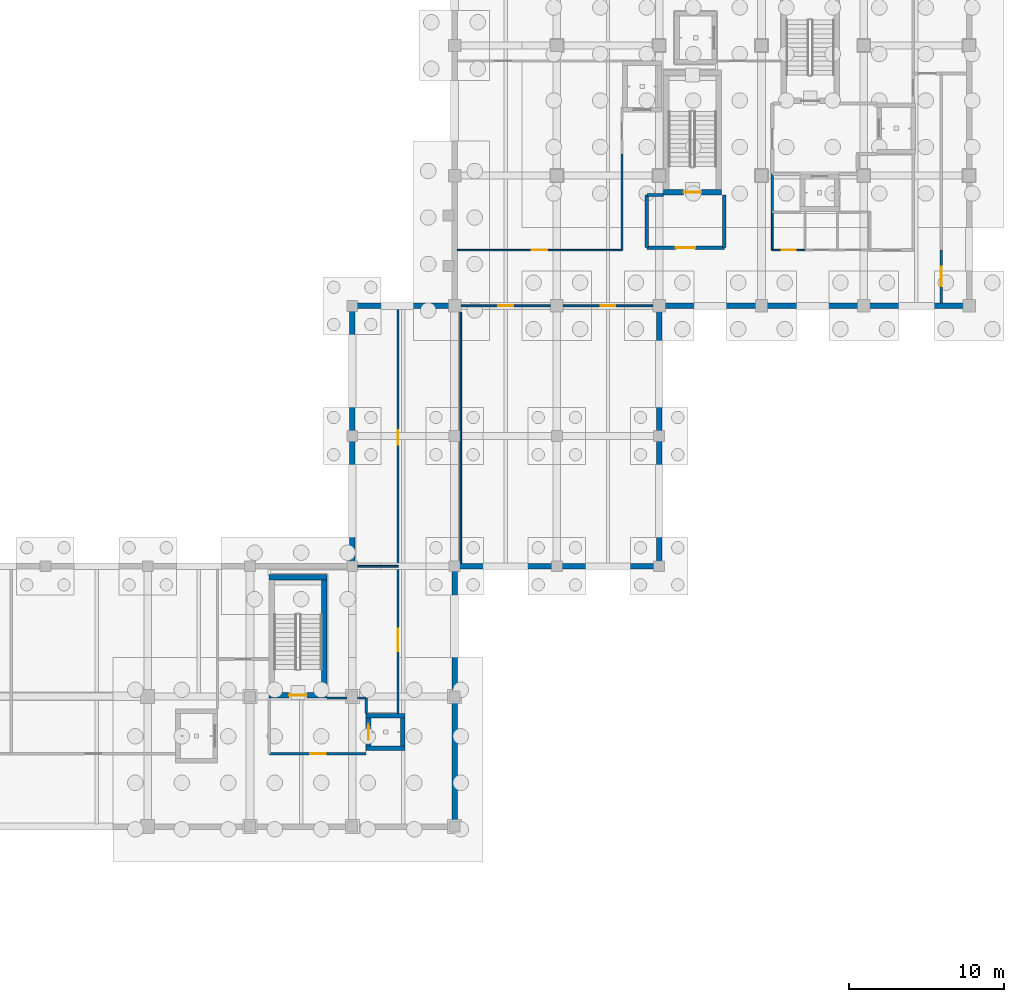
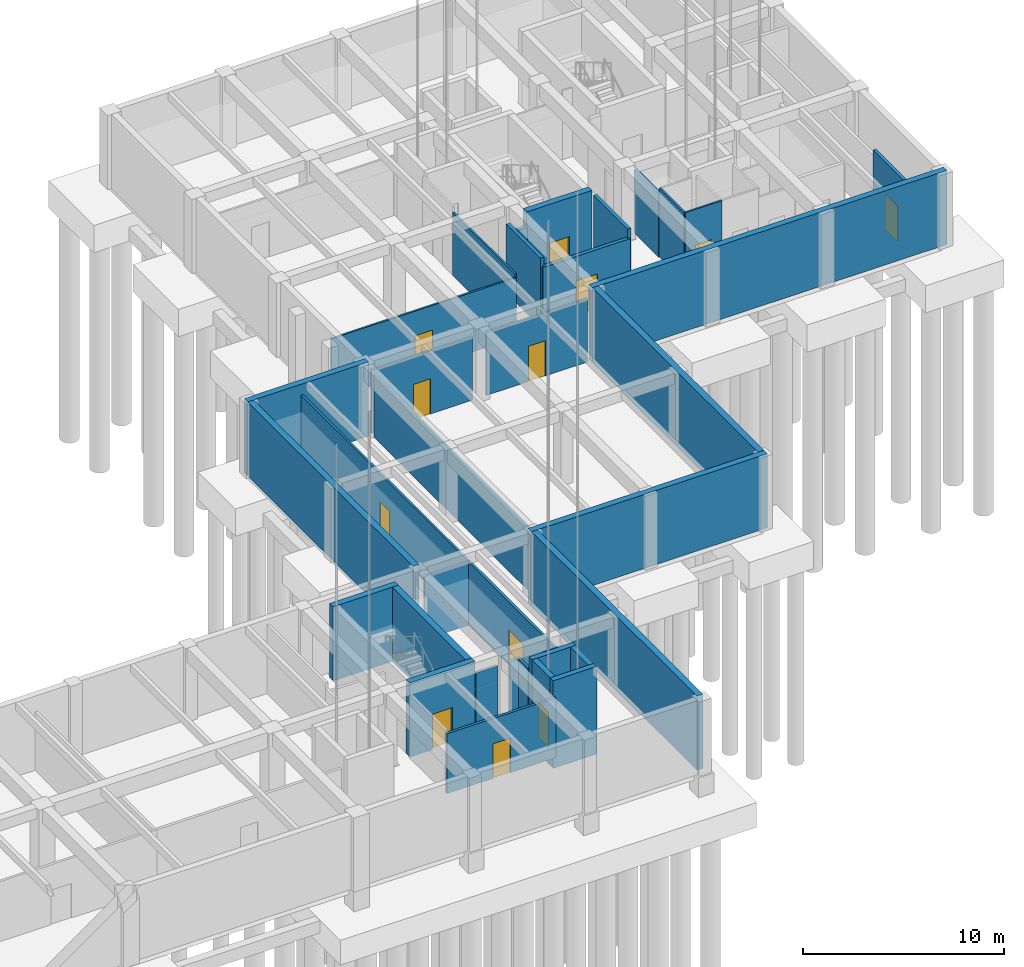
# One storey, part 36 of 44: 34 walls, 12 doors, 12 openings.
"""IFC4 building model written with IfcOpenShell, lengths in metres."""

import ifcopenshell
import ifcopenshell.guid

model = None  # the IFC model being written
_history = None  # IfcOwnerHistory: only IFC2X3 demands one
_inside = {}  # id of a spatial element -> (the spatial element, [elements in it])
_under = {}  # id of a project, library or spatial element -> (it, [spatial elements below it])
_declared = {}  # id of a project -> (the project, [libraries it declares])
_typed = {}  # id of a type object -> (the type object, [elements of that type])
_made_of = {}  # id of a material, layer set ... -> (it, [elements and type objects made of it])


def new_model(schema):
    """Start an empty IFC model of exactly this schema.

    Asked for "IFC4X3", IfcOpenShell would pick the latest addendum, in which some entities
    have other attributes; the version numbers below select the first issue.
    IFC2X3 requires an IfcOwnerHistory on every rooted entity: one is made here for all.
    """
    global model, _history
    if schema == "IFC4X3":
        model = ifcopenshell.file(schema_version=(4, 3, 0, 0))
    else:
        model = ifcopenshell.file(schema=schema)
    _inside.clear()
    _under.clear()
    _declared.clear()
    _typed.clear()
    _made_of.clear()
    _history = None
    if model.schema == "IFC2X3":
        org = make("IfcOrganization", Name="unknown")
        user = make(
            "IfcPersonAndOrganization",
            ThePerson=make("IfcPerson", FamilyName="unknown"),
            TheOrganization=org,
        )
        app = make(
            "IfcApplication",
            ApplicationDeveloper=org,
            Version="unknown",
            ApplicationFullName="unknown",
            ApplicationIdentifier="unknown",
        )
        _history = make(
            "IfcOwnerHistory",
            OwningUser=user,
            OwningApplication=app,
            ChangeAction="ADDED",
            CreationDate=0,
        )
    return model


def make(cls, **values):
    """One entity of the class cls with the attributes given. An attribute that is None is left unset."""
    return model.create_entity(
        cls, **{name: value for name, value in values.items() if value is not None}
    )


def rooted(cls, **values):
    """An entity with a GlobalId (a new one), such as an element, a storey or a relation."""
    return make(cls, GlobalId=ifcopenshell.guid.new(), OwnerHistory=_history, **values)


def si_unit(unit_type, name, prefix=None):
    """IfcSIUnit, for example si_unit("LENGTHUNIT", "METRE", prefix="MILLI")."""
    return make("IfcSIUnit", UnitType=unit_type, Prefix=prefix, Name=name)


def assignment(units):
    """IfcUnitAssignment: the units of a project."""
    return None if units is None else make("IfcUnitAssignment", Units=units)


def point(xyz):
    """IfcCartesianPoint."""
    return None if xyz is None else make("IfcCartesianPoint", Coordinates=xyz)


def direction(xyz):
    """IfcDirection."""
    return None if xyz is None else make("IfcDirection", DirectionRatios=xyz)


def frame(location, z_axis=None, x_axis=None):
    """IfcAxis2Placement3D, a coordinate frame: its origin and axes. An axis left out is left unset."""
    return make(
        "IfcAxis2Placement3D",
        Location=point(location),
        Axis=direction(z_axis),
        RefDirection=direction(x_axis),
    )


def frame_2d(location, x_axis=None):
    """IfcAxis2Placement2D, a coordinate frame in the plane: its origin and x axis."""
    return make(
        "IfcAxis2Placement2D", Location=point(location), RefDirection=direction(x_axis)
    )


def origin():
    """The frame at (0, 0, 0) with its axes left unset."""
    return frame((0.0, 0.0, 0.0))


def place(relative_to, where):
    """IfcLocalPlacement: puts the frame where relative to a parent placement (None: the world)."""
    return make(
        "IfcLocalPlacement", PlacementRelTo=relative_to, RelativePlacement=where
    )


def context(
    kind, dimensions, precision=None, world=None, true_north=None, identifier=None
):
    """IfcGeometricRepresentationContext, for example the 3D "Model" context."""
    return make(
        "IfcGeometricRepresentationContext",
        ContextIdentifier=identifier,
        ContextType=kind,
        CoordinateSpaceDimension=dimensions,
        Precision=precision,
        WorldCoordinateSystem=world,
        TrueNorth=true_north,
    )


def subcontext(parent, identifier, kind, view, scale=None):
    """IfcGeometricRepresentationSubContext, for example "Body" below "Model"."""
    return make(
        "IfcGeometricRepresentationSubContext",
        ContextIdentifier=identifier,
        ContextType=kind,
        ParentContext=parent,
        TargetScale=scale,
        TargetView=view,
    )


def project(units=None, contexts=None):
    """IfcProject with its units and contexts."""
    return rooted(
        "IfcProject",
        Name="project",
        RepresentationContexts=contexts,
        UnitsInContext=assignment(units),
    )


def spatial(cls, under=None, at=None, **own):
    """A site, building, storey or space (cls), placed at a placement, below another one or the project."""
    s = rooted(cls, ObjectPlacement=at, **own)
    if under is not None:
        _under.setdefault(under.id(), (under, []))[1].append(s)
    return s


def profile(cls, at=None, kind="AREA", **sizes):
    """A parametric profile (cls). Its sizes go by their IFC names, for example OverallWidth=200.0."""
    return make(cls, ProfileType=kind, Position=at, **sizes)


def rectangle(**sizes):
    """IfcRectangleProfileDef."""
    return profile("IfcRectangleProfileDef", **sizes)


def extrude(swept, where, along, depth):
    """IfcExtrudedAreaSolid: the profile swept, set in the frame where, extruded along a direction by depth."""
    return make(
        "IfcExtrudedAreaSolid",
        SweptArea=swept,
        Position=where,
        ExtrudedDirection=direction(along),
        Depth=depth,
    )


def shape(context_of_items, identifier, shape_type, items):
    """IfcShapeRepresentation: the items that make up one representation, for example the "Body"."""
    return make(
        "IfcShapeRepresentation",
        ContextOfItems=context_of_items,
        RepresentationIdentifier=identifier,
        RepresentationType=shape_type,
        Items=items,
    )


def material(Name=None, Category=None):
    """IfcMaterial."""
    return make("IfcMaterial", Name=Name, Category=Category)


def layer(
    of_material, thickness, ventilated=None, Name=None, Category=None, Priority=None
):
    """IfcMaterialLayer: one layer of a wall or slab, of a material (None: an air gap)."""
    return make(
        "IfcMaterialLayer",
        Material=of_material,
        LayerThickness=thickness,
        IsVentilated=ventilated,
        Name=Name,
        Category=Category,
        Priority=Priority,
    )


def layer_set(layers, Name=None):
    """IfcMaterialLayerSet."""
    return make("IfcMaterialLayerSet", MaterialLayers=layers, LayerSetName=Name)


def made_of(thing, what):
    """Note that an element or type object is made of a material, layer set ...; save() writes the relation."""
    if what is not None:
        _made_of.setdefault(what.id(), (what, []))[1].append(thing)
    return thing


def type_object(cls, material=None, **own):
    """A type object (cls), such as IfcWallType, which elements share."""
    return made_of(rooted(cls, **own), material)


def element(
    cls,
    number,
    at=None,
    inside=None,
    cuts=None,
    type_object=None,
    material=None,
    context=None,
    identifier="Body",
    shape_type=None,
    held_by="IfcProductDefinitionShape",
    body=None,
    shapes=None,
    **own,
):
    """One element of the class cls, such as IfcWall. Its Tag is "e" and its number.

    at: its placement. inside: the storey or other place that contains it. cuts: it is an
    opening in that element (IfcRelVoidsElement). A single representation is given by context,
    identifier, shape_type and body (its items); several are given by shapes. held_by: the class
    of the entity that holds the representations. save() writes the other relations.
    """
    e = rooted(cls, Tag="e%d" % number, ObjectPlacement=at, **own)
    if body is not None:
        shapes = [shape(context, identifier, shape_type, body)]
    if shapes is not None:
        e.Representation = make(held_by, Representations=shapes)
    if inside is not None:
        _inside.setdefault(inside.id(), (inside, []))[1].append(e)
    if cuts is not None:
        rooted(
            "IfcRelVoidsElement", RelatingBuildingElement=cuts, RelatedOpeningElement=e
        )
    if type_object is not None:
        _typed.setdefault(type_object.id(), (type_object, []))[1].append(e)
    return made_of(e, material)


def fill(opening, filler):
    """IfcRelFillsElement: the door or window that sits in an opening."""
    return rooted(
        "IfcRelFillsElement",
        RelatingOpeningElement=opening,
        RelatedBuildingElement=filler,
    )


def aggregate(whole, parts):
    """IfcRelAggregates: a whole, such as a stair, and the parts it consists of."""
    return rooted("IfcRelAggregates", RelatingObject=whole, RelatedObjects=parts)


def save(model, path):
    """Write the relations noted so far, then the file.

    IfcRelAggregates (storeys below a building ...), IfcRelContainedInSpatialStructure (elements
    in a storey), IfcRelDefinesByType, IfcRelAssociatesMaterial and IfcRelDeclares: one each for
    every whole, place, type object, material and project.
    """
    for whole, parts in _under.values():
        aggregate(whole, parts)
    for where, things in _inside.values():
        rooted(
            "IfcRelContainedInSpatialStructure",
            RelatedElements=things,
            RelatingStructure=where,
        )
    for kind, things in _typed.values():
        rooted("IfcRelDefinesByType", RelatedObjects=things, RelatingType=kind)
    for what, things in _made_of.values():
        rooted("IfcRelAssociatesMaterial", RelatedObjects=things, RelatingMaterial=what)
    for by, libraries in _declared.values():
        rooted("IfcRelDeclares", RelatingContext=by, RelatedDefinitions=libraries)
    model.write(path)


model = new_model("IFC4")

# Units and contexts
model_context = context("Model", 3, precision=1e-05, world=origin(), true_north=direction((0.0, 1.0)))
body_context = subcontext(model_context, "Body", "Model", "MODEL_VIEW")
ifc_project = project(units=[si_unit("LENGTHUNIT", "METRE"), si_unit("AREAUNIT", "SQUARE_METRE"), si_unit("VOLUMEUNIT", "CUBIC_METRE"), si_unit("PLANEANGLEUNIT", "RADIAN"), si_unit("MASSUNIT", "GRAM", prefix="KILO")], contexts=[model_context])

# Site, building, storey
site_placement = place(None, origin())
site = spatial("IfcSite", under=ifc_project, at=site_placement, CompositionType="ELEMENT")
building_placement = place(site_placement, origin())
building = spatial("IfcBuilding", under=site, at=building_placement, Name="Kolvaren Faculty of Natural Sciences", CompositionType="ELEMENT")
storey_placement = place(building_placement, frame((0.0, 0.0, -4.5)))
storey = spatial("IfcBuildingStorey", under=building, at=storey_placement, Name="B01", CompositionType="ELEMENT", Elevation=-4.5)

# Walls
ifc_material_1 = material(Name="Concrete C35/45", Category="concrete")
ifc_layer_1 = layer(ifc_material_1, 0.35009765625)
ifc_layer_set_1 = layer_set([ifc_layer_1], Name="Concrete C35/45")
wall_type_1 = type_object("IfcWallType", Name="BasementRetainingWall_350", PredefinedType="SOLIDWALL", material=ifc_layer_set_1)
wall_1_placement = place(storey_placement, frame((132.199951171875, 42.375, 0.0), z_axis=(0.0, 0.0, 1.0), x_axis=(0.0, 1.0, 0.0)))
element("IfcWall", 1, at=wall_1_placement, inside=storey, type_object=wall_type_1, Name="B01 perimeter reinforced concrete retaining wall 4.1", PredefinedType="SOLIDWALL", context=body_context, shape_type="SweptSolid", body=[
    extrude(rectangle(XDim=16.449951171875, YDim=0.35009765625, at=frame_2d((8.22509765625, 0.0))), origin(), (0.0, 0.0, 1.0), 4.5),
])
wall_2_placement = place(storey_placement, frame((132.02490234375, 59.0, 0.0), z_axis=(0.0, 0.0, 1.0), x_axis=(1.0, 0.0, 0.0)))
element("IfcWall", 2, at=wall_2_placement, inside=storey, type_object=wall_type_1, Name="B01 perimeter reinforced concrete retaining wall 5", PredefinedType="SOLIDWALL", context=body_context, shape_type="SweptSolid", body=[
    extrude(rectangle(XDim=6.9501953125, YDim=0.35009765625, at=frame_2d((3.47509765625, 0.0))), origin(), (0.0, 0.0, 1.0), 4.5),
])
wall_3_placement = place(storey_placement, frame((151.824951171875, 59.0, 0.0), z_axis=(0.0, 0.0, 1.0), x_axis=(1.0, 0.0, 0.0)))
element("IfcWall", 3, at=wall_3_placement, inside=storey, type_object=wall_type_1, Name="B01 perimeter reinforced concrete retaining wall 9", PredefinedType="SOLIDWALL", context=body_context, shape_type="SweptSolid", body=[
    extrude(rectangle(XDim=20.35009765625, YDim=0.35009765625, at=frame_2d((10.175048828125, 0.0))), origin(), (0.0, 0.0, 1.0), 4.5),
])
wall_4_placement = place(storey_placement, frame((152.0, 42.375, 0.0), z_axis=(0.0, 0.0, 1.0), x_axis=(0.0, 1.0, 0.0)))
element("IfcWall", 4, at=wall_4_placement, inside=storey, type_object=wall_type_1, Name="B01 perimeter reinforced concrete retaining wall 10.1", PredefinedType="SOLIDWALL", context=body_context, shape_type="SweptSolid", body=[
    extrude(rectangle(XDim=16.449951171875, YDim=0.35009765625, at=frame_2d((8.22509765625, 0.0))), origin(), (0.0, 0.0, 1.0), 4.5),
])
wall_5_placement = place(storey_placement, frame((138.625, 42.199951171875, 0.0), z_axis=(0.0, 0.0, 1.0), x_axis=(1.0, 0.0, 0.0)))
element("IfcWall", 5, at=wall_5_placement, inside=storey, type_object=wall_type_1, Name="B01 perimeter reinforced concrete retaining wall 11", PredefinedType="SOLIDWALL", context=body_context, shape_type="SweptSolid", body=[
    extrude(rectangle(XDim=13.550048828125, YDim=0.35009765625, at=frame_2d((6.77490234375, 0.0))), origin(), (0.0, 0.0, 1.0), 4.5),
])
wall_6_placement = place(storey_placement, frame((138.800048828125, 25.574951171875, 0.0), z_axis=(0.0, 0.0, 1.0), x_axis=(0.0, 1.0, 0.0)))
element("IfcWall", 6, at=wall_6_placement, inside=storey, type_object=wall_type_1, Name="B01 perimeter reinforced concrete retaining wall 12.1", PredefinedType="SOLIDWALL", context=body_context, shape_type="SweptSolid", body=[
    extrude(rectangle(XDim=16.449951171875, YDim=0.35009765625, at=frame_2d((8.22509765625, 0.0))), origin(), (0.0, 0.0, 1.0), 4.5),
])

# Wall, opening, door
ifc_material_2 = material(Name="Acoustic mineral-wool insulated gypsum partition")
ifc_layer_2 = layer(ifc_material_2, 0.14501953125)
ifc_layer_set_2 = layer_set([ifc_layer_2], Name="Acoustic mineral-wool insulated gypsum partition")
wall_type_2 = type_object("IfcWallType", Name="CommonsPartitionWall_145", PredefinedType="PARTITIONING", material=ifc_layer_set_2)
wall_7_placement = place(storey_placement, frame((135.14990234375, 42.199951171875, 0.0), z_axis=(0.0, 0.0, 1.0), x_axis=(0.0, -1.0, 0.0)))
wall_7 = element("IfcWall", 7, at=wall_7_placement, inside=storey, type_object=wall_type_2, Name="B01 interior partition PW-145", PredefinedType="PARTITIONING", context=body_context, shape_type="SweptSolid", body=[
    extrude(rectangle(XDim=9.498046875, YDim=0.14501953125, at=frame_2d((4.7490234375, 0.0))), origin(), (0.0, 0.0, 1.0), 3.8349609375),
])
opening_1_placement = place(wall_7_placement, frame((4.029052734375, 0.0, 0.0)))
opening_1 = element("IfcOpeningElement", 8, at=opening_1_placement, cuts=wall_7, Name="Opening ID-27", PredefinedType="OPENING", context=body_context, shape_type="SweptSolid", body=[
    extrude(rectangle(XDim=1.43994140625, YDim=2.139892578125, at=frame_2d((0.719970703125, 1.06982421875))), frame((0.0, 0.08251953125, 0.0), z_axis=(0.0, -1.0, 0.0), x_axis=(1.0, 0.0, 0.0)), (0.0, 0.0, 1.0), 0.1650390625),
])
ifc_material_3 = material(Name="Thermally broken anodised aluminium glazed door", Category="aluminium")
door_type_1 = type_object("IfcDoorType", Name="InteriorRoomDoor_1440x2140", OperationType="DOUBLE_DOOR_SINGLE_SWING", PredefinedType="DOOR", material=ifc_material_3)
door_1_placement = place(opening_1_placement, origin())
door_1 = element("IfcDoor", 9, at=door_1_placement, inside=storey, type_object=door_type_1, Name="D-B01-0024", OperationType="DOUBLE_DOOR_SINGLE_SWING", OverallHeight=2.139892578125, OverallWidth=1.43994140625, PredefinedType="DOOR", context=body_context, shape_type="SweptSolid", body=[
    extrude(rectangle(XDim=1.43994140625, YDim=2.139892578125, at=frame_2d((0.719970703125, 1.06982421875))), frame((0.0, 0.02490234375, 0.0), z_axis=(0.0, -1.0, 0.0), x_axis=(1.0, 0.0, 0.0)), (0.0, 0.0, 1.0), 0.050048828125),
])
fill(opening_1, door_1)

ifc_material_4 = material(Name="Concrete C40/50", Category="concrete")
ifc_layer_3 = layer(ifc_material_4, 0.35009765625)
ifc_layer_set_3 = layer_set([ifc_layer_3], Name="Concrete C40/50")
wall_type_3 = type_object("IfcWallType", Name="CoreShearWall_350", PredefinedType="SHEAR", material=ifc_layer_set_3)
wall_8_placement = place(storey_placement, frame((152.27490234375, 66.324951171875, 0.0), z_axis=(0.0, 0.0, 1.0), x_axis=(1.0, 0.0, 0.0)))
wall_8 = element("IfcWall", 10, at=wall_8_placement, inside=storey, type_object=wall_type_3, Name="B01 CORE-C2 stair shear wall S", PredefinedType="SHEAR", context=body_context, shape_type="SweptSolid", body=[
    extrude(rectangle(XDim=3.75, YDim=0.35009765625, at=frame_2d((1.875, 0.0))), origin(), (0.0, 0.0, 1.0), 4.5),
])
opening_2_placement = place(wall_8_placement, frame((1.300048828125, 0.0, 0.0)))
opening_2 = element("IfcOpeningElement", 11, at=opening_2_placement, cuts=wall_8, Name="Opening FD90", PredefinedType="OPENING", context=body_context, shape_type="SweptSolid", body=[
    extrude(rectangle(XDim=1.14990234375, YDim=2.14990234375, at=frame_2d((0.574951171875, 1.074951171875))), frame((0.0, 0.18505859375, 0.0), z_axis=(0.0, -1.0, 0.0), x_axis=(1.0, 0.0, 0.0)), (0.0, 0.0, 1.0), 0.3701171875),
])
ifc_material_5 = material(Name="Fire-rated solid-core hardwood door leaf in steel frame", Category="steel")
door_type_2 = type_object("IfcDoorType", Name="StairCoreFireDoor_1150x2150", OperationType="NOTDEFINED", PredefinedType="DOOR", material=ifc_material_5)
door_2_placement = place(opening_2_placement, origin())
door_2 = element("IfcDoor", 12, at=door_2_placement, inside=storey, type_object=door_type_2, Name="D-ST-ST-2-B01", OperationType="SINGLE_SWING_LEFT", OverallHeight=2.14990234375, OverallWidth=1.14990234375, PredefinedType="DOOR", context=body_context, shape_type="SweptSolid", body=[
    extrude(rectangle(XDim=1.14990234375, YDim=2.14990234375, at=frame_2d((0.574951171875, 1.074951171875))), frame((0.0, 0.02490234375, 0.0), z_axis=(0.0, -1.0, 0.0), x_axis=(1.0, 0.0, 0.0)), (0.0, 0.0, 1.0), 0.050048828125),
])
fill(opening_2, door_2)

wall_9_placement = place(storey_placement, frame((126.824951171875, 33.875, 0.0), z_axis=(0.0, 0.0, 1.0), x_axis=(1.0, 0.0, 0.0)))
wall_9 = element("IfcWall", 13, at=wall_9_placement, inside=storey, type_object=wall_type_3, Name="B01 CORE-C3 stair shear wall S", PredefinedType="SHEAR", context=body_context, shape_type="SweptSolid", body=[
    extrude(rectangle(XDim=3.75, YDim=0.35009765625, at=frame_2d((1.875, 0.0))), origin(), (0.0, 0.0, 1.0), 4.5),
])
opening_3_placement = place(wall_9_placement, frame((1.300048828125, 0.0, 0.0)))
opening_3 = element("IfcOpeningElement", 14, at=opening_3_placement, cuts=wall_9, Name="Opening FD90", PredefinedType="OPENING", context=body_context, shape_type="SweptSolid", body=[
    extrude(rectangle(XDim=1.14990234375, YDim=2.14990234375, at=frame_2d((0.574951171875, 1.074951171875))), frame((0.0, 0.18505859375, 0.0), z_axis=(0.0, -1.0, 0.0), x_axis=(1.0, 0.0, 0.0)), (0.0, 0.0, 1.0), 0.3701171875),
])
door_3_placement = place(opening_3_placement, origin())
door_3 = element("IfcDoor", 15, at=door_3_placement, inside=storey, type_object=door_type_2, Name="D-ST-ST-3-B01", OperationType="SINGLE_SWING_LEFT", OverallHeight=2.14990234375, OverallWidth=1.14990234375, PredefinedType="DOOR", context=body_context, shape_type="SweptSolid", body=[
    extrude(rectangle(XDim=1.14990234375, YDim=2.14990234375, at=frame_2d((0.574951171875, 1.074951171875))), frame((0.0, 0.02490234375, 0.0), z_axis=(0.0, -1.0, 0.0), x_axis=(1.0, 0.0, 0.0)), (0.0, 0.0, 1.0), 0.050048828125),
])
fill(opening_3, door_3)

# Walls
wall_10_placement = place(storey_placement, frame((126.824951171875, 41.5, 0.0), z_axis=(0.0, 0.0, 1.0), x_axis=(1.0, 0.0, 0.0)))
element("IfcWall", 16, at=wall_10_placement, inside=storey, type_object=wall_type_3, Name="B01 CORE-C3 stair shear wall N", PredefinedType="SHEAR", context=body_context, shape_type="SweptSolid", body=[
    extrude(rectangle(XDim=3.75, YDim=0.35009765625, at=frame_2d((1.875, 0.0))), origin(), (0.0, 0.0, 1.0), 4.5),
])
wall_11_placement = place(storey_placement, frame((130.39990234375, 34.050048828125, 0.0), z_axis=(0.0, 0.0, 1.0), x_axis=(0.0, 1.0, 0.0)))
element("IfcWall", 17, at=wall_11_placement, inside=storey, type_object=wall_type_3, Name="B01 CORE-C3 stair shear wall E", PredefinedType="SHEAR", context=body_context, shape_type="SweptSolid", body=[
    extrude(rectangle(XDim=7.27490234375, YDim=0.35009765625, at=frame_2d((3.637451171875, 0.0))), origin(), (0.0, 0.0, 1.0), 4.5),
])
ifc_material_6 = material(Name="Autoclaved aerated fire-rated masonry blockwork", Category="masonry")
ifc_layer_4 = layer(ifc_material_6, 0.199951171875)
ifc_layer_set_4 = layer_set([ifc_layer_4], Name="Autoclaved aerated fire-rated masonry blockwork")
wall_type_4 = type_object("IfcWallType", Name="FireLobbyWall_200", PredefinedType="PARTITIONING", material=ifc_layer_set_4)
wall_12_placement = place(storey_placement, frame((151.199951171875, 66.14990234375, 0.0), z_axis=(0.0, 0.0, 1.0), x_axis=(1.0, 0.0, 0.0)))
element("IfcWall", 18, at=wall_12_placement, inside=storey, type_object=wall_type_4, Name="B01 interior partition FW-200", PredefinedType="PARTITIONING", context=body_context, shape_type="SweptSolid", body=[
    extrude(rectangle(XDim=1.074951171875, YDim=0.199951171875, at=frame_2d((0.53759765625, 0.0))), origin(), (0.0, 0.0, 1.0), 3.635009765625),
])
wall_13_placement = place(storey_placement, frame((156.199951171875, 66.14990234375, 0.0), z_axis=(0.0, 0.0, 1.0), x_axis=(0.0, -1.0, 0.0)))
element("IfcWall", 19, at=wall_13_placement, inside=storey, type_object=wall_type_4, Name="B01 interior partition FW-200", PredefinedType="PARTITIONING", context=body_context, shape_type="SweptSolid", body=[
    extrude(rectangle(XDim=3.39990234375, YDim=0.199951171875, at=frame_2d((1.699951171875, 0.0))), origin(), (0.0, 0.0, 1.0), 4.175048828125),
])

# Wall, opening, door
wall_14_placement = place(storey_placement, frame((156.199951171875, 62.75, 0.0), z_axis=(0.0, 0.0, 1.0), x_axis=(-1.0, 0.0, 0.0)))
wall_14 = element("IfcWall", 20, at=wall_14_placement, inside=storey, type_object=wall_type_4, Name="B01 interior partition FW-200", PredefinedType="PARTITIONING", context=body_context, shape_type="SweptSolid", body=[
    extrude(rectangle(XDim=5.0, YDim=0.199951171875, at=frame_2d((2.5, 0.0))), origin(), (0.0, 0.0, 1.0), 3.635009765625),
])
opening_4_placement = place(wall_14_placement, frame((1.875, 0.0, 0.0)))
opening_4 = element("IfcOpeningElement", 21, at=opening_4_placement, cuts=wall_14, Name="Opening FD60", PredefinedType="OPENING", context=body_context, shape_type="SweptSolid", body=[
    extrude(rectangle(XDim=1.25, YDim=2.14990234375, at=frame_2d((0.625, 1.074951171875))), frame((0.0, 0.10986328125, 0.0), z_axis=(0.0, -1.0, 0.0), x_axis=(1.0, 0.0, 0.0)), (0.0, 0.0, 1.0), 0.219970703125),
])
door_type_3 = type_object("IfcDoorType", Name="RescueLobbyFireDoor_1250x2150", OperationType="NOTDEFINED", PredefinedType="DOOR", material=ifc_material_5)
door_4_placement = place(opening_4_placement, origin())
door_4 = element("IfcDoor", 22, at=door_4_placement, inside=storey, type_object=door_type_3, Name="D-B01-0002", OperationType="SINGLE_SWING_RIGHT", OverallHeight=2.14990234375, OverallWidth=1.25, PredefinedType="DOOR", context=body_context, shape_type="SweptSolid", body=[
    extrude(rectangle(XDim=1.25, YDim=2.14990234375, at=frame_2d((0.625, 1.074951171875))), frame((0.0, 0.02490234375, 0.0), z_axis=(0.0, -1.0, 0.0), x_axis=(1.0, 0.0, 0.0)), (0.0, 0.0, 1.0), 0.050048828125),
])
fill(opening_4, door_4)

# Walls
wall_15_placement = place(storey_placement, frame((151.199951171875, 62.75, 0.0), z_axis=(0.0, 0.0, 1.0), x_axis=(0.0, 1.0, 0.0)))
element("IfcWall", 23, at=wall_15_placement, inside=storey, type_object=wall_type_4, Name="B01 interior partition FW-200", PredefinedType="PARTITIONING", context=body_context, shape_type="SweptSolid", body=[
    extrude(rectangle(XDim=3.39990234375, YDim=0.199951171875, at=frame_2d((1.699951171875, 0.0))), origin(), (0.0, 0.0, 1.0), 4.175048828125),
])
ifc_layer_5 = layer(ifc_material_2, 0.179931640625)
ifc_layer_set_5 = layer_set([ifc_layer_5], Name="Acoustic mineral-wool insulated gypsum partition")
wall_type_5 = type_object("IfcWallType", Name="LabPartitionWall_180", PredefinedType="PARTITIONING", material=ifc_layer_set_5)
wall_16_placement = place(storey_placement, frame((159.300048828125, 65.050048828125, 0.0), z_axis=(0.0, 0.0, 1.0), x_axis=(0.0, 1.0, 0.0)))
element("IfcWall", 24, at=wall_16_placement, inside=storey, type_object=wall_type_5, Name="B01 interior partition PW-180", PredefinedType="PARTITIONING", context=body_context, shape_type="SweptSolid", body=[
    extrude(rectangle(XDim=2.449951171875, YDim=0.179931640625, at=frame_2d((1.22509765625, 0.0))), origin(), (0.0, 0.0, 1.0), 3.8349609375),
])
ifc_material_7 = material(Name="Double fire-rated gypsum board on 100 mm steel stud", Category="steel")
ifc_layer_6 = layer(ifc_material_7, 0.14990234375)
ifc_layer_set_6 = layer_set([ifc_layer_6], Name="Double fire-rated gypsum board on 100 mm steel stud")
wall_type_6 = type_object("IfcWallType", Name="RatedCorridorWall_150", PredefinedType="PARTITIONING", material=ifc_layer_set_6)
wall_17_placement = place(storey_placement, frame((130.574951171875, 33.699951171875, 0.0), z_axis=(0.0, 0.0, 1.0), x_axis=(1.0, 0.0, 0.0)))
element("IfcWall", 25, at=wall_17_placement, inside=storey, type_object=wall_type_6, Name="B01 interior partition LW-150", PredefinedType="PARTITIONING", context=body_context, shape_type="SweptSolid", body=[
    extrude(rectangle(XDim=1.275146484375, YDim=0.14990234375, at=frame_2d((0.6376953125, 0.0))), origin(), (0.0, 0.0, 1.0), 3.8349609375),
])
wall_18_placement = place(storey_placement, frame((132.550048828125, 33.699951171875, 0.0), z_axis=(0.0, 0.0, 1.0), x_axis=(1.0, 0.0, 0.0)))
element("IfcWall", 26, at=wall_18_placement, inside=storey, type_object=wall_type_6, Name="B01 interior partition LW-150", PredefinedType="PARTITIONING", context=body_context, shape_type="SweptSolid", body=[
    extrude(rectangle(XDim=0.550048828125, YDim=0.14990234375, at=frame_2d((0.27490234375, 0.0))), origin(), (0.0, 0.0, 1.0), 3.8349609375),
])
wall_19_placement = place(storey_placement, frame((133.10009765625, 33.699951171875, 0.0), z_axis=(0.0, 0.0, 1.0), x_axis=(0.0, -1.0, 0.0)))
element("IfcWall", 27, at=wall_19_placement, inside=storey, type_object=wall_type_6, Name="B01 interior partition LW-150", PredefinedType="PARTITIONING", context=body_context, shape_type="SweptSolid", body=[
    extrude(rectangle(XDim=0.998046875, YDim=0.14990234375, at=frame_2d((0.4990234375, 0.0))), origin(), (0.0, 0.0, 1.0), 3.8349609375),
])

# Wall, opening, door
wall_20_placement = place(storey_placement, frame((133.10009765625, 30.10009765625, 0.0), z_axis=(0.0, 0.0, 1.0), x_axis=(-1.0, 0.0, 0.0)))
wall_20 = element("IfcWall", 28, at=wall_20_placement, inside=storey, type_object=wall_type_6, Name="B01 interior partition LW-150", PredefinedType="PARTITIONING", context=body_context, shape_type="SweptSolid", body=[
    extrude(rectangle(XDim=6.25, YDim=0.14990234375, at=frame_2d((3.125, 0.0))), origin(), (0.0, 0.0, 1.0), 3.635009765625),
])
opening_5_placement = place(wall_20_placement, frame((2.625, 0.0, 0.0)))
opening_5 = element("IfcOpeningElement", 29, at=opening_5_placement, cuts=wall_20, Name="Opening FD30", PredefinedType="OPENING", context=body_context, shape_type="SweptSolid", body=[
    extrude(rectangle(XDim=1.0, YDim=2.10009765625, at=frame_2d((0.5, 1.050048828125))), frame((0.0, 0.0849609375, 0.0), z_axis=(0.0, -1.0, 0.0), x_axis=(1.0, 0.0, 0.0)), (0.0, 0.0, 1.0), 0.169921875),
])
door_type_4 = type_object("IfcDoorType", Name="CorridorFireDoor_1000x2100", OperationType="NOTDEFINED", PredefinedType="DOOR", material=ifc_material_5)
door_5_placement = place(opening_5_placement, origin())
door_5 = element("IfcDoor", 30, at=door_5_placement, inside=storey, type_object=door_type_4, Name="D-B01-0003", OperationType="SINGLE_SWING_LEFT", OverallHeight=2.10009765625, OverallWidth=1.0, PredefinedType="DOOR", context=body_context, shape_type="SweptSolid", body=[
    extrude(rectangle(XDim=1.0, YDim=2.10009765625, at=frame_2d((0.5, 1.050048828125))), frame((0.0, 0.02490234375, 0.0), z_axis=(0.0, -1.0, 0.0), x_axis=(1.0, 0.0, 0.0)), (0.0, 0.0, 1.0), 0.050048828125),
])
fill(opening_5, door_5)

ifc_layer_7 = layer(ifc_material_2, 0.169921875)
ifc_layer_set_7 = layer_set([ifc_layer_7], Name="Acoustic mineral-wool insulated gypsum partition")
wall_type_7 = type_object("IfcWallType", Name="SeminarPartitionWall_170", PredefinedType="PARTITIONING", material=ifc_layer_set_7)
wall_21_placement = place(storey_placement, frame((170.199951171875, 59.177001953125, 0.0), z_axis=(0.0, 0.0, 1.0), x_axis=(0.0, 1.0, 0.0)))
wall_21 = element("IfcWall", 31, at=wall_21_placement, inside=storey, type_object=wall_type_7, Name="B01 interior partition PW-170", PredefinedType="PARTITIONING", context=body_context, shape_type="SweptSolid", body=[
    extrude(rectangle(XDim=3.423095703125, YDim=0.169921875, at=frame_2d((1.71142578125, 0.0))), origin(), (0.0, 0.0, 1.0), 4.175048828125),
])
opening_6_placement = place(wall_21_placement, frame((1.091552734375, 0.0, 0.0)))
opening_6 = element("IfcOpeningElement", 32, at=opening_6_placement, cuts=wall_21, Name="Opening ID-25", PredefinedType="OPENING", context=body_context, shape_type="SweptSolid", body=[
    extrude(rectangle(XDim=1.239990234375, YDim=2.139892578125, at=frame_2d((0.6201171875, 1.06982421875))), frame((0.0, 0.094970703125, 0.0), z_axis=(0.0, -1.0, 0.0), x_axis=(1.0, 0.0, 0.0)), (0.0, 0.0, 1.0), 0.18994140625),
])
ifc_material_8 = material(Name="Solid-core hardwood veneer door leaf in steel frame", Category="steel")
door_type_5 = type_object("IfcDoorType", Name="InteriorRoomDoor_1240x2140", OperationType="NOTDEFINED", PredefinedType="DOOR", material=ifc_material_8)
door_6_placement = place(opening_6_placement, origin())
door_6 = element("IfcDoor", 33, at=door_6_placement, inside=storey, type_object=door_type_5, Name="D-B01-0022", OperationType="SINGLE_SWING_RIGHT", OverallHeight=2.139892578125, OverallWidth=1.239990234375, PredefinedType="DOOR", context=body_context, shape_type="SweptSolid", body=[
    extrude(rectangle(XDim=1.239990234375, YDim=2.139892578125, at=frame_2d((0.6201171875, 1.06982421875))), frame((0.0, 0.02490234375, 0.0), z_axis=(0.0, -1.0, 0.0), x_axis=(1.0, 0.0, 0.0)), (0.0, 0.0, 1.0), 0.050048828125),
])
fill(opening_6, door_6)

# Walls
ifc_layer_8 = layer(ifc_material_4, 0.300048828125)
ifc_layer_set_8 = layer_set([ifc_layer_8], Name="Concrete C40/50")
wall_type_8 = type_object("IfcWallType", Name="ShaftShearWall_300", PredefinedType="SHEAR", material=ifc_layer_set_8)
for number, where, z_axis, x_axis, name in (
    (34, (133.10009765625, 30.449951171875, -0.820068359375), (0.0, 0.0, 1.0), (1.0, 0.0, 0.0), "B01 lift PL-3 shaft wall S"),
    (35, (133.10009765625, 32.550048828125, -0.820068359375), (0.0, 0.0, 1.0), (1.0, 0.0, 0.0), "B01 lift PL-3 shaft wall N"),
):
    element("IfcWall", number, at=place(storey_placement, frame(where, z_axis=z_axis, x_axis=x_axis)), inside=storey, type_object=wall_type_8, Name=name, PredefinedType="SHEAR", context=body_context, shape_type="SweptSolid", body=[
        extrude(rectangle(XDim=2.5, YDim=0.300048828125, at=frame_2d((1.25, 0.0))), origin(), (0.0, 0.0, 1.0), 5.320068359375),
    ])

# Wall, opening, door
wall_22_placement = place(storey_placement, frame((133.25, 30.60009765625, -0.820068359375), z_axis=(0.0, 0.0, 1.0), x_axis=(0.0, 1.0, 0.0)))
wall_22 = element("IfcWall", 36, at=wall_22_placement, inside=storey, type_object=wall_type_8, Name="B01 lift PL-3 shaft wall W", PredefinedType="SHEAR", context=body_context, shape_type="SweptSolid", body=[
    extrude(rectangle(XDim=1.7998046875, YDim=0.300048828125, at=frame_2d((0.89990234375, 0.0))), origin(), (0.0, 0.0, 1.0), 5.320068359375),
])
opening_7_placement = place(wall_22_placement, frame((0.39990234375, 0.0, 0.820068359375)))
opening_7 = element("IfcOpeningElement", 37, at=opening_7_placement, cuts=wall_22, Name="Opening LD-02", PredefinedType="OPENING", context=body_context, shape_type="SweptSolid", body=[
    extrude(rectangle(XDim=1.0, YDim=2.10009765625, at=frame_2d((0.5, 1.050048828125))), frame((0.0, 0.159912109375, 0.0), z_axis=(0.0, -1.0, 0.0), x_axis=(1.0, 0.0, 0.0)), (0.0, 0.0, 1.0), 0.320068359375),
])
ifc_material_9 = material(Name="Brushed stainless steel lift car and sliding door assembly", Category="steel")
door_type_6 = type_object("IfcDoorType", Name="LiftLandingSliding_1000x2100", OperationType="SLIDING_TO_LEFT", PredefinedType="DOOR", material=ifc_material_9)
door_7_placement = place(opening_7_placement, origin())
door_7 = element("IfcDoor", 38, at=door_7_placement, inside=storey, type_object=door_type_6, Name="D-LIFT-PL-3-B01", OperationType="SLIDING_TO_LEFT", OverallHeight=2.10009765625, OverallWidth=1.0, PredefinedType="DOOR", context=body_context, shape_type="SweptSolid", body=[
    extrude(rectangle(XDim=1.0, YDim=2.10009765625, at=frame_2d((0.5, 1.050048828125))), frame((0.0, 0.02490234375, 0.0), z_axis=(0.0, -1.0, 0.0), x_axis=(1.0, 0.0, 0.0)), (0.0, 0.0, 1.0), 0.050048828125),
])
fill(opening_7, door_7)

# Walls
wall_23_placement = place(storey_placement, frame((135.449951171875, 30.60009765625, -0.820068359375), z_axis=(0.0, 0.0, 1.0), x_axis=(0.0, 1.0, 0.0)))
element("IfcWall", 39, at=wall_23_placement, inside=storey, type_object=wall_type_8, Name="B01 lift PL-3 shaft wall E", PredefinedType="SHEAR", context=body_context, shape_type="SweptSolid", body=[
    extrude(rectangle(XDim=1.7998046875, YDim=0.300048828125, at=frame_2d((0.89990234375, 0.0))), origin(), (0.0, 0.0, 1.0), 5.320068359375),
])
ifc_layer_9 = layer(ifc_material_2, 0.114990234375)
ifc_layer_set_9 = layer_set([ifc_layer_9], Name="Acoustic mineral-wool insulated gypsum partition")
wall_type_9 = type_object("IfcWallType", Name="StorePartitionWall_115", PredefinedType="PARTITIONING", material=ifc_layer_set_9)
wall_24_placement = place(storey_placement, frame((139.199951171875, 42.376953125, 0.0), z_axis=(0.0, 0.0, 1.0), x_axis=(0.0, 1.0, 0.0)))
element("IfcWall", 40, at=wall_24_placement, inside=storey, type_object=wall_type_9, Name="B01 interior partition PW-115", PredefinedType="PARTITIONING", context=body_context, shape_type="SweptSolid", body=[
    extrude(rectangle(XDim=16.22314453125, YDim=0.114990234375, at=frame_2d((8.111572265625, 0.0))), origin(), (0.0, 0.0, 1.0), 3.8349609375),
])

# Wall, opening, door
wall_25_placement = place(storey_placement, frame((139.199951171875, 59.0, 0.0), z_axis=(0.0, 0.0, 1.0), x_axis=(1.0, 0.0, 0.0)))
wall_25 = element("IfcWall", 41, at=wall_25_placement, inside=storey, type_object=wall_type_9, Name="B01 interior partition PW-115", PredefinedType="PARTITIONING", context=body_context, shape_type="SweptSolid", body=[
    extrude(rectangle(XDim=5.800048828125, YDim=0.114990234375, at=frame_2d((2.89990234375, 0.0))), origin(), (0.0, 0.0, 1.0), 3.8349609375),
])
opening_8_placement = place(wall_25_placement, frame((2.419921875, 0.0, 0.0)))
opening_8 = element("IfcOpeningElement", 42, at=opening_8_placement, cuts=wall_25, Name="Opening ID-20", PredefinedType="OPENING", context=body_context, shape_type="SweptSolid", body=[
    extrude(rectangle(XDim=0.9599609375, YDim=2.139892578125, at=frame_2d((0.47998046875, 1.06982421875))), frame((0.0, 0.0673828125, 0.0), z_axis=(0.0, -1.0, 0.0), x_axis=(1.0, 0.0, 0.0)), (0.0, 0.0, 1.0), 0.135009765625),
])
door_type_7 = type_object("IfcDoorType", Name="InteriorRoomDoor_960x2140", OperationType="NOTDEFINED", PredefinedType="DOOR", material=ifc_material_8)
door_8_placement = place(opening_8_placement, origin())
door_8 = element("IfcDoor", 43, at=door_8_placement, inside=storey, type_object=door_type_7, Name="D-B01-0015", OperationType="SINGLE_SWING_LEFT", OverallHeight=2.139892578125, OverallWidth=0.9599609375, PredefinedType="DOOR", context=body_context, shape_type="SweptSolid", body=[
    extrude(rectangle(XDim=0.9599609375, YDim=2.139892578125, at=frame_2d((0.47998046875, 1.06982421875))), frame((0.0, 0.02490234375, 0.0), z_axis=(0.0, -1.0, 0.0), x_axis=(1.0, 0.0, 0.0)), (0.0, 0.0, 1.0), 0.050048828125),
])
fill(opening_8, door_8)

wall_26_placement = place(storey_placement, frame((145.800048828125, 59.0, 0.0), z_axis=(0.0, 0.0, 1.0), x_axis=(1.0, 0.0, 0.0)))
wall_26 = element("IfcWall", 44, at=wall_26_placement, inside=storey, type_object=wall_type_9, Name="B01 interior partition PW-115", PredefinedType="PARTITIONING", context=body_context, shape_type="SweptSolid", body=[
    extrude(rectangle(XDim=5.800048828125, YDim=0.114990234375, at=frame_2d((2.89990234375, 0.0))), origin(), (0.0, 0.0, 1.0), 3.8349609375),
])
opening_9_placement = place(wall_26_placement, frame((2.419921875, 0.0, 0.0)))
opening_9 = element("IfcOpeningElement", 45, at=opening_9_placement, cuts=wall_26, Name="Opening ID-20", PredefinedType="OPENING", context=body_context, shape_type="SweptSolid", body=[
    extrude(rectangle(XDim=0.9599609375, YDim=2.139892578125, at=frame_2d((0.47998046875, 1.06982421875))), frame((0.0, 0.0673828125, 0.0), z_axis=(0.0, -1.0, 0.0), x_axis=(1.0, 0.0, 0.0)), (0.0, 0.0, 1.0), 0.135009765625),
])
door_9_placement = place(opening_9_placement, origin())
door_9 = element("IfcDoor", 46, at=door_9_placement, inside=storey, type_object=door_type_7, Name="D-B01-0014", OperationType="SINGLE_SWING_RIGHT", OverallHeight=2.139892578125, OverallWidth=0.9599609375, PredefinedType="DOOR", context=body_context, shape_type="SweptSolid", body=[
    extrude(rectangle(XDim=0.9599609375, YDim=2.139892578125, at=frame_2d((0.47998046875, 1.06982421875))), frame((0.0, 0.02490234375, 0.0), z_axis=(0.0, -1.0, 0.0), x_axis=(1.0, 0.0, 0.0)), (0.0, 0.0, 1.0), 0.050048828125),
])
fill(opening_9, door_9)

ifc_layer_10 = layer(ifc_material_2, 0.1201171875)
ifc_layer_set_10 = layer_set([ifc_layer_10], Name="Acoustic mineral-wool insulated gypsum partition")
wall_type_10 = type_object("IfcWallType", Name="StudioPartitionWall_120", PredefinedType="PARTITIONING", material=ifc_layer_set_10)
wall_27_placement = place(storey_placement, frame((135.14990234375, 58.822998046875, 0.0), z_axis=(0.0, 0.0, 1.0), x_axis=(0.0, -1.0, 0.0)))
wall_27 = element("IfcWall", 47, at=wall_27_placement, inside=storey, type_object=wall_type_10, Name="B01 interior partition PW-120", PredefinedType="PARTITIONING", context=body_context, shape_type="SweptSolid", body=[
    extrude(rectangle(XDim=16.623046875, YDim=0.1201171875, at=frame_2d((8.3115234375, 0.0))), origin(), (0.0, 0.0, 1.0), 3.8349609375),
])
opening_10_placement = place(wall_27_placement, frame((7.8515625, 0.0, 0.0)))
opening_10 = element("IfcOpeningElement", 48, at=opening_10_placement, cuts=wall_27, Name="Opening ID-19", PredefinedType="OPENING", context=body_context, shape_type="SweptSolid", body=[
    extrude(rectangle(XDim=0.919921875, YDim=2.139892578125, at=frame_2d((0.4599609375, 1.06982421875))), frame((0.0, 0.070068359375, 0.0), z_axis=(0.0, -1.0, 0.0), x_axis=(1.0, 0.0, 0.0)), (0.0, 0.0, 1.0), 0.14013671875),
])
door_type_8 = type_object("IfcDoorType", Name="InteriorRoomDoor_920x2140", OperationType="NOTDEFINED", PredefinedType="DOOR", material=ifc_material_8)
door_10_placement = place(opening_10_placement, origin())
door_10 = element("IfcDoor", 49, at=door_10_placement, inside=storey, type_object=door_type_8, Name="D-B01-0013", OperationType="SINGLE_SWING_LEFT", OverallHeight=2.139892578125, OverallWidth=0.919921875, PredefinedType="DOOR", context=body_context, shape_type="SweptSolid", body=[
    extrude(rectangle(XDim=0.919921875, YDim=2.139892578125, at=frame_2d((0.4599609375, 1.06982421875))), frame((0.0, 0.02490234375, 0.0), z_axis=(0.0, -1.0, 0.0), x_axis=(1.0, 0.0, 0.0)), (0.0, 0.0, 1.0), 0.050048828125),
])
fill(opening_10, door_10)

# Wall
wall_28_placement = place(storey_placement, frame((135.14990234375, 42.199951171875, 0.0), z_axis=(0.0, 0.0, 1.0), x_axis=(-1.0, 0.0, 0.0)))
element("IfcWall", 50, at=wall_28_placement, inside=storey, type_object=wall_type_10, Name="B01 interior partition PW-120", PredefinedType="PARTITIONING", context=body_context, shape_type="SweptSolid", body=[
    extrude(rectangle(XDim=2.599853515625, YDim=0.1201171875, at=frame_2d((1.2998046875, 0.0))), origin(), (0.0, 0.0, 1.0), 3.8349609375),
])

# Wall, opening, door
ifc_layer_11 = layer(ifc_material_2, 0.10498046875)
ifc_layer_set_11 = layer_set([ifc_layer_11], Name="Acoustic mineral-wool insulated gypsum partition")
wall_type_11 = type_object("IfcWallType", Name="WetRoomPartition_105", PredefinedType="PARTITIONING", material=ifc_layer_set_11)
wall_29_placement = place(storey_placement, frame((161.39990234375, 62.60009765625, 0.0), z_axis=(0.0, 0.0, 1.0), x_axis=(-1.0, 0.0, 0.0)))
wall_29 = element("IfcWall", 51, at=wall_29_placement, inside=storey, type_object=wall_type_11, Name="B01 interior partition PW-105", PredefinedType="PARTITIONING", context=body_context, shape_type="SweptSolid", body=[
    extrude(rectangle(XDim=2.099853515625, YDim=0.10498046875, at=frame_2d((1.0498046875, 0.0))), origin(), (0.0, 0.0, 1.0), 4.175048828125),
])
opening_11_placement = place(wall_29_placement, frame((0.60009765625, 0.0, 0.0)))
opening_11 = element("IfcOpeningElement", 52, at=opening_11_placement, cuts=wall_29, Name="Opening ID-01", PredefinedType="OPENING", context=body_context, shape_type="SweptSolid", body=[
    extrude(rectangle(XDim=0.89990234375, YDim=2.02001953125, at=frame_2d((0.449951171875, 1.010009765625))), frame((0.0, 0.0625, 0.0), z_axis=(0.0, -1.0, 0.0), x_axis=(1.0, 0.0, 0.0)), (0.0, 0.0, 1.0), 0.125),
])
door_type_9 = type_object("IfcDoorType", Name="InteriorRoomDoor_900x2020", OperationType="NOTDEFINED", PredefinedType="DOOR", material=ifc_material_8)
door_11_placement = place(opening_11_placement, origin())
door_11 = element("IfcDoor", 53, at=door_11_placement, inside=storey, type_object=door_type_9, Name="D-B01-0008", OperationType="SINGLE_SWING_RIGHT", OverallHeight=2.02001953125, OverallWidth=0.89990234375, PredefinedType="DOOR", context=body_context, shape_type="SweptSolid", body=[
    extrude(rectangle(XDim=0.89990234375, YDim=2.02001953125, at=frame_2d((0.449951171875, 1.010009765625))), frame((0.0, 0.02490234375, 0.0), z_axis=(0.0, -1.0, 0.0), x_axis=(1.0, 0.0, 0.0)), (0.0, 0.0, 1.0), 0.050048828125),
])
fill(opening_11, door_11)

# Walls
wall_30_placement = place(storey_placement, frame((159.300048828125, 62.60009765625, 0.0), z_axis=(0.0, 0.0, 1.0), x_axis=(0.0, 1.0, 0.0)))
element("IfcWall", 54, at=wall_30_placement, inside=storey, type_object=wall_type_11, Name="B01 interior partition PW-105", PredefinedType="PARTITIONING", context=body_context, shape_type="SweptSolid", body=[
    extrude(rectangle(XDim=2.449951171875, YDim=0.10498046875, at=frame_2d((1.22509765625, 0.0))), origin(), (0.0, 0.0, 1.0), 4.175048828125),
])
wall_31_placement = place(storey_placement, frame((149.60009765625, 68.800048828125, 0.0), z_axis=(0.0, 0.0, 1.0), x_axis=(0.0, -1.0, 0.0)))
element("IfcWall", 55, at=wall_31_placement, inside=storey, type_object=wall_type_11, Name="B01 interior partition PW-105", PredefinedType="PARTITIONING", context=body_context, shape_type="SweptSolid", body=[
    extrude(rectangle(XDim=6.199951171875, YDim=0.10498046875, at=frame_2d((3.10009765625, 0.0))), origin(), (0.0, 0.0, 1.0), 3.8349609375),
])

# Wall, opening, door
wall_32_placement = place(storey_placement, frame((149.60009765625, 62.60009765625, 0.0), z_axis=(0.0, 0.0, 1.0), x_axis=(-1.0, 0.0, 0.0)))
wall_32 = element("IfcWall", 56, at=wall_32_placement, inside=storey, type_object=wall_type_11, Name="B01 interior partition PW-105", PredefinedType="PARTITIONING", context=body_context, shape_type="SweptSolid", body=[
    extrude(rectangle(XDim=10.623046875, YDim=0.10498046875, at=frame_2d((5.3115234375, 0.0))), origin(), (0.0, 0.0, 1.0), 3.635009765625),
])
opening_12_placement = place(wall_32_placement, frame((4.806396484375, 0.0, 0.0)))
opening_12 = element("IfcOpeningElement", 57, at=opening_12_placement, cuts=wall_32, Name="Opening ID-21", PredefinedType="OPENING", context=body_context, shape_type="SweptSolid", body=[
    extrude(rectangle(XDim=1.010009765625, YDim=2.139892578125, at=frame_2d((0.5048828125, 1.06982421875))), frame((0.0, 0.0625, 0.0), z_axis=(0.0, -1.0, 0.0), x_axis=(1.0, 0.0, 0.0)), (0.0, 0.0, 1.0), 0.125),
])
door_type_10 = type_object("IfcDoorType", Name="InteriorRoomDoor_1010x2140", OperationType="NOTDEFINED", PredefinedType="DOOR", material=ifc_material_8)
door_12_placement = place(opening_12_placement, origin())
door_12 = element("IfcDoor", 58, at=door_12_placement, inside=storey, type_object=door_type_10, Name="D-B01-0016", OperationType="SINGLE_SWING_RIGHT", OverallHeight=2.139892578125, OverallWidth=1.010009765625, PredefinedType="DOOR", context=body_context, shape_type="SweptSolid", body=[
    extrude(rectangle(XDim=1.010009765625, YDim=2.139892578125, at=frame_2d((0.5048828125, 1.06982421875))), frame((0.0, 0.02490234375, 0.0), z_axis=(0.0, -1.0, 0.0), x_axis=(1.0, 0.0, 0.0)), (0.0, 0.0, 1.0), 0.050048828125),
])
fill(opening_12, door_12)

save(model, "model.ifc")
